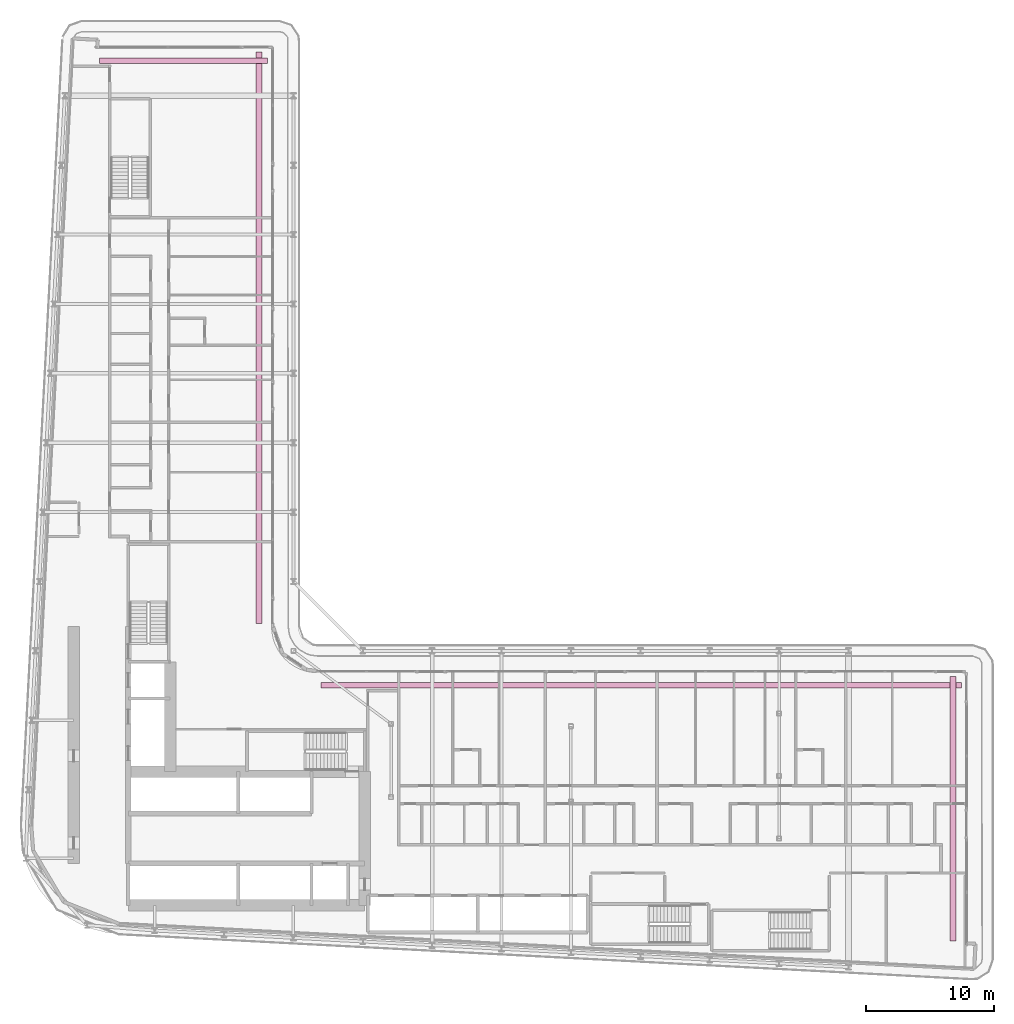
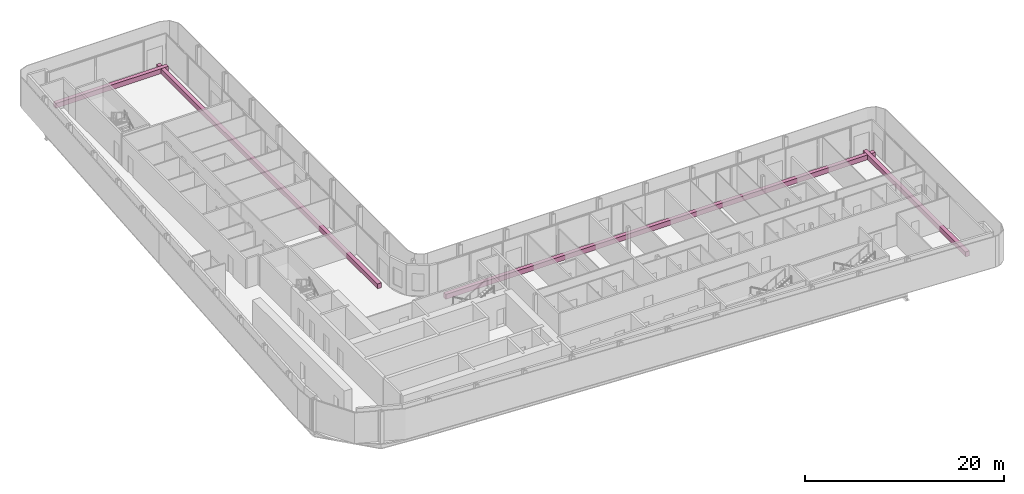
# One storey, part 25 of 25: 4 furniture elements.
"""IFC4 building model written with IfcOpenShell, lengths in metres."""

from ifc_helpers import new_model, si_unit, direction, frame, origin, origin_2d, place, context, subcontext, project, spatial, rectangle, extrude, material, type_object, element, save


model = new_model("IFC4")

# Units and contexts
model_context = context("Model", 3, precision=1e-05, world=origin(), true_north=direction((0.0, 1.0)))
body_context = subcontext(model_context, "Body", "Model", "MODEL_VIEW")
ifc_project = project(units=[si_unit("LENGTHUNIT", "METRE"), si_unit("AREAUNIT", "SQUARE_METRE"), si_unit("VOLUMEUNIT", "CUBIC_METRE"), si_unit("PLANEANGLEUNIT", "RADIAN"), si_unit("MASSUNIT", "GRAM", prefix="KILO")], contexts=[model_context])

# Site, building, storey
site_placement = place(None, origin())
site = spatial("IfcSite", under=ifc_project, at=site_placement, CompositionType="ELEMENT")
building_placement = place(site_placement, origin())
building = spatial("IfcBuilding", under=site, at=building_placement, Name="Kheshtan School and Residences Tower", CompositionType="ELEMENT")
storey_placement = place(building_placement, frame((0.0, 0.0, 113.60009765625)))
storey = spatial("IfcBuildingStorey", under=building, at=storey_placement, Name="L26", CompositionType="ELEMENT", Elevation=113.60009765625)

# Furniture
ifc_material = material(Name="Precast concrete C30/37 in terracotta finish", Category="masonry")
furniture_type = type_object("IfcFurnitureType", Name="Planter trough", AssemblyPlace="NOTDEFINED", PredefinedType="USERDEFINED", material=ifc_material)
furniture_1_placement = place(storey_placement, frame((39.053955078125, 91.52490234375, -0.000244140625), z_axis=(0.0, 0.0, 1.0), x_axis=(1.0, 0.0, 0.0)))
element("IfcFurniture", 1, at=furniture_1_placement, inside=storey, type_object=furniture_type, Name="Planter L26", ObjectType="PLANTER", PredefinedType="USERDEFINED", context=body_context, shape_type="SweptSolid", body=[
    extrude(rectangle(XDim=13.092041015625, YDim=0.449951171875, at=origin_2d()), origin(), (0.0, 0.0, 1.0), 0.60009765625),
])
furniture_2_placement = place(storey_placement, frame((44.925048828125, 69.965087890625, -0.000244140625), z_axis=(0.0, 0.0, 1.0), x_axis=(0.0, -1.0, 0.0)))
element("IfcFurniture", 2, at=furniture_2_placement, inside=storey, type_object=furniture_type, Name="Planter L26", ObjectType="PLANTER", PredefinedType="USERDEFINED", context=body_context, shape_type="SweptSolid", body=[
    extrude(rectangle(XDim=44.469970703125, YDim=0.449951171875, at=origin_2d()), origin(), (0.0, 0.0, 1.0), 0.60009765625),
])
furniture_3_placement = place(storey_placement, frame((74.6650390625, 42.925048828125, -0.000244140625), z_axis=(0.0, 0.0, 1.0), x_axis=(1.0, 0.0, 0.0)))
element("IfcFurniture", 3, at=furniture_3_placement, inside=storey, type_object=furniture_type, Name="Planter L26", ObjectType="PLANTER", PredefinedType="USERDEFINED", context=body_context, shape_type="SweptSolid", body=[
    extrude(rectangle(XDim=49.8701171875, YDim=0.449951171875, at=origin_2d()), origin(), (0.0, 0.0, 1.0), 0.60009765625),
])
furniture_4_placement = place(storey_placement, frame((98.925048828125, 33.306884765625, -0.000244140625), z_axis=(0.0, 0.0, 1.0), x_axis=(0.0, -1.0, 0.0)))
element("IfcFurniture", 4, at=furniture_4_placement, inside=storey, type_object=furniture_type, Name="Planter L26", ObjectType="PLANTER", PredefinedType="USERDEFINED", context=body_context, shape_type="SweptSolid", body=[
    extrude(rectangle(XDim=20.5859375, YDim=0.449951171875, at=origin_2d()), origin(), (0.0, 0.0, 1.0), 0.60009765625),
])

save(model, "model.ifc")
